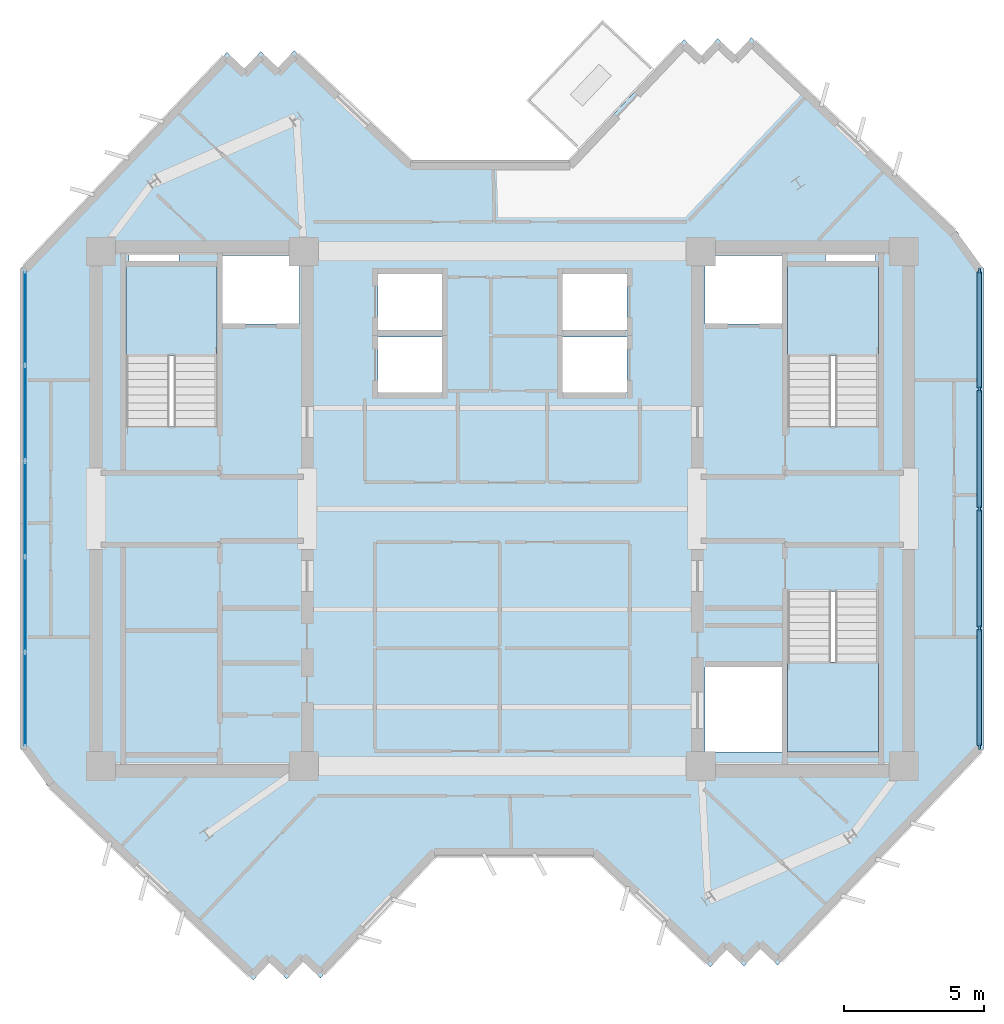
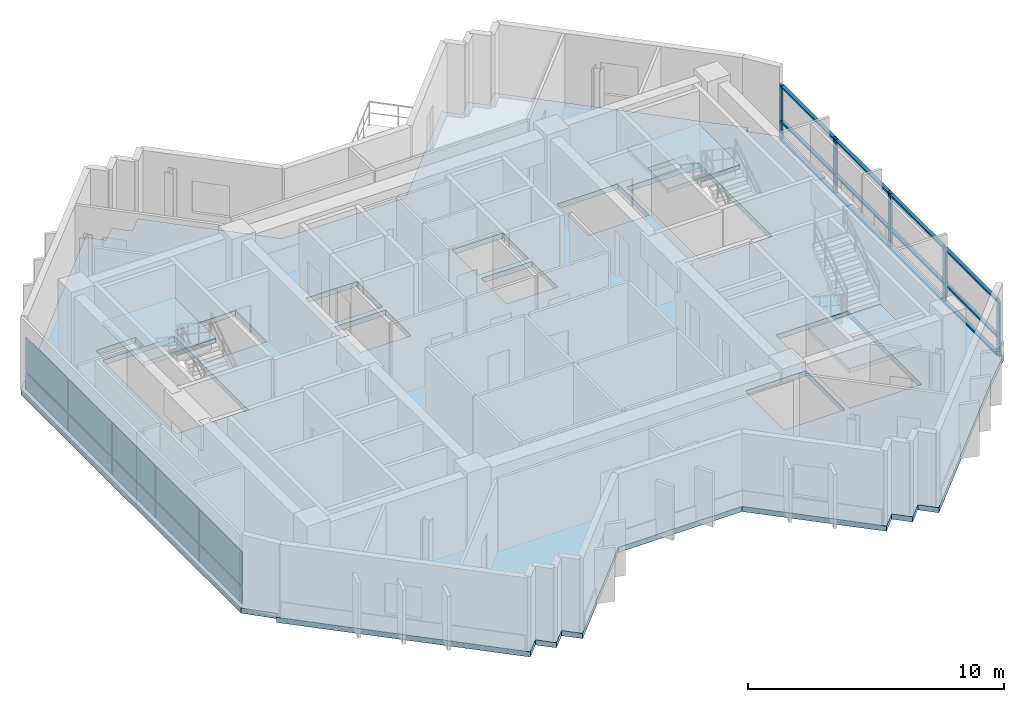
# One storey, part 2 of 9: 17 members, 10 plates, 4 slabs, 5 elements without a shape of their own.
"""IFC4 building model written with IfcOpenShell, lengths in metres."""

from ifc_helpers import new_model, si_unit, direction, frame, origin, origin_2d, place, context, subcontext, project, spatial, polyline, rectangle, outline, extrude, source, transform, mapped, material, layer, layer_set, material_profile, profile_set, type_object, element, aggregate, save


model = new_model("IFC4")

# Units and contexts
model_context = context("Model", 3, precision=1e-05, world=origin(), true_north=direction((0.0, 1.0)))
body_context = subcontext(model_context, "Body", "Model", "MODEL_VIEW")
ifc_project = project(units=[si_unit("LENGTHUNIT", "METRE"), si_unit("AREAUNIT", "SQUARE_METRE"), si_unit("VOLUMEUNIT", "CUBIC_METRE"), si_unit("PLANEANGLEUNIT", "RADIAN"), si_unit("MASSUNIT", "GRAM", prefix="KILO")], contexts=[model_context])

# Site, building, storey
site_placement = place(None, origin())
site = spatial("IfcSite", under=ifc_project, at=site_placement, CompositionType="ELEMENT")
building_placement = place(site_placement, origin())
building = spatial("IfcBuilding", under=site, at=building_placement, Name="Zahravan Cultural Tower", CompositionType="ELEMENT")
storey_placement = place(building_placement, frame((0.0, 0.0, 302.85009765625)))
storey = spatial("IfcBuildingStorey", under=building, at=storey_placement, Name="L73", CompositionType="ELEMENT", Elevation=302.85009765625)

# Curtain wall, members
ifc_material_1 = material(Name="Anodised bronze-aluminium mullion", Category="aluminium")
ifc_layer_1 = layer(ifc_material_1, 0.219970703125)
ifc_layer_set_1 = layer_set([ifc_layer_1], Name="Anodised bronze-aluminium mullion")
curtain_wall_type_1 = type_object("IfcCurtainWallType", Name="CW-SYS-1", PredefinedType="USERDEFINED", material=ifc_layer_set_1)
curtain_wall_1_placement = place(storey_placement, origin())
curtain_wall_1 = element("IfcCurtainWall", 1, at=curtain_wall_1_placement, inside=storey, type_object=curtain_wall_type_1, Name="L73 Recessed Curtain Wall CW-1.1", ObjectType="RECESSED GLAZING", PredefinedType="USERDEFINED")
ifc_material_profile_1 = material_profile(ifc_material_1, rectangle(XDim=0.080078125, YDim=0.219970703125, at=origin_2d()), Name="AL-M80X220")
ifc_profile_set_1 = profile_set([ifc_material_profile_1], Name="Anodised bronze-aluminium mullion")
member_type_1 = type_object("IfcMemberType", Name="CWM-CW-1", PredefinedType="MULLION", material=ifc_profile_set_1)
shared_shape_1 = source(origin(), body_context, "Body", "SweptSolid", [
    extrude(rectangle(XDim=0.080078125, YDim=0.219970703125, at=origin_2d()), origin(), (0.0, 0.0, 1.0), 2.619873046875),
])
member_1_placement = place(storey_placement, frame((53.06005859375, 35.501953125, 0.0), z_axis=(0.0, 0.0, 1.0), x_axis=(1.0, 0.0, 0.0)))
member_1 = element("IfcMember", 2, at=member_1_placement, type_object=member_type_1, Name="CW-1 mullion 1", PredefinedType="MULLION", context=body_context, shape_type="MappedRepresentation", body=[
    mapped(shared_shape_1, transform((0.0, 0.0, 0.0), x_axis=(1.0, 0.0, 0.0), y_axis=(0.0, 1.0, 0.0), z_axis=(0.0, 0.0, 1.0), scale=1.0)),
])
member_2_placement = place(storey_placement, frame((53.06005859375, 31.27099609375, 0.0), z_axis=(0.0, 0.0, 1.0), x_axis=(1.0, 0.0, 0.0)))
member_2 = element("IfcMember", 3, at=member_2_placement, type_object=member_type_1, Name="CW-1 mullion 2", PredefinedType="MULLION", context=body_context, shape_type="MappedRepresentation", body=[
    mapped(shared_shape_1, transform((0.0, 0.0, 0.0), x_axis=(1.0, 0.0, 0.0), y_axis=(0.0, 1.0, 0.0), z_axis=(0.0, 0.0, 1.0), scale=1.0)),
])
member_3_placement = place(storey_placement, frame((53.06005859375, 27.0, 0.0), z_axis=(0.0, 0.0, 1.0), x_axis=(1.0, 0.0, 0.0)))
member_3 = element("IfcMember", 4, at=member_3_placement, type_object=member_type_1, Name="CW-1 mullion 3", PredefinedType="MULLION", context=body_context, shape_type="MappedRepresentation", body=[
    mapped(shared_shape_1, transform((0.0, 0.0, 0.0), x_axis=(1.0, 0.0, 0.0), y_axis=(0.0, 1.0, 0.0), z_axis=(0.0, 0.0, 1.0), scale=1.0)),
])
member_4_placement = place(storey_placement, frame((53.06005859375, 22.72900390625, 0.0), z_axis=(0.0, 0.0, 1.0), x_axis=(1.0, 0.0, 0.0)))
member_4 = element("IfcMember", 5, at=member_4_placement, type_object=member_type_1, Name="CW-1 mullion 4", PredefinedType="MULLION", context=body_context, shape_type="MappedRepresentation", body=[
    mapped(shared_shape_1, transform((0.0, 0.0, 0.0), x_axis=(1.0, 0.0, 0.0), y_axis=(0.0, 1.0, 0.0), z_axis=(0.0, 0.0, 1.0), scale=1.0)),
])
member_5_placement = place(storey_placement, frame((53.06005859375, 18.498046875, 0.0), z_axis=(0.0, 0.0, 1.0), x_axis=(1.0, 0.0, 0.0)))
member_5 = element("IfcMember", 6, at=member_5_placement, type_object=member_type_1, Name="CW-1 mullion 5", PredefinedType="MULLION", context=body_context, shape_type="MappedRepresentation", body=[
    mapped(shared_shape_1, transform((0.0, 0.0, 0.0), x_axis=(1.0, 0.0, 0.0), y_axis=(0.0, 1.0, 0.0), z_axis=(0.0, 0.0, 1.0), scale=1.0)),
])
ifc_material_profile_2 = material_profile(ifc_material_1, rectangle(XDim=0.159912109375, YDim=0.080078125, at=origin_2d()), Name="AL-T80X160")
ifc_profile_set_2 = profile_set([ifc_material_profile_2], Name="Anodised bronze-aluminium mullion")
member_type_2 = type_object("IfcMemberType", Name="CWT-CW-1", PredefinedType="USERDEFINED", material=ifc_profile_set_2)
shared_shape_2 = source(origin(), body_context, "Body", "SweptSolid", [
    extrude(rectangle(XDim=0.159912109375, YDim=0.080078125, at=origin_2d()), origin(), (0.0, 0.0, 1.0), 4.15087890625),
])
member_6_placement = place(storey_placement, frame((53.06005859375, 35.4619140625, 0.039794921875), z_axis=(0.0, -1.0, 0.0), x_axis=(1.0, 0.0, 0.0)))
member_6 = element("IfcMember", 7, at=member_6_placement, type_object=member_type_2, Name="CW-1 transom 1.1", ObjectType="TRANSOM", PredefinedType="USERDEFINED", context=body_context, shape_type="MappedRepresentation", body=[
    mapped(shared_shape_2, transform((0.0, 0.0, 0.0), x_axis=(1.0, 0.0, 0.0), y_axis=(0.0, 1.0, 0.0), z_axis=(0.0, 0.0, 1.0), scale=1.0)),
])
member_7_placement = place(storey_placement, frame((53.06005859375, 35.4619140625, 0.89990234375), z_axis=(0.0, -1.0, 0.0), x_axis=(1.0, 0.0, 0.0)))
member_7 = element("IfcMember", 8, at=member_7_placement, type_object=member_type_2, Name="CW-1 transom 1.2", ObjectType="TRANSOM", PredefinedType="USERDEFINED", context=body_context, shape_type="MappedRepresentation", body=[
    mapped(shared_shape_2, transform((0.0, 0.0, 0.0), x_axis=(1.0, 0.0, 0.0), y_axis=(0.0, 1.0, 0.0), z_axis=(0.0, 0.0, 1.0), scale=1.0)),
])
member_8_placement = place(storey_placement, frame((53.06005859375, 35.4619140625, 2.579833984375), z_axis=(0.0, -1.0, 0.0), x_axis=(1.0, 0.0, 0.0)))
member_8 = element("IfcMember", 9, at=member_8_placement, type_object=member_type_2, Name="CW-1 transom 1.3", ObjectType="TRANSOM", PredefinedType="USERDEFINED", context=body_context, shape_type="MappedRepresentation", body=[
    mapped(shared_shape_2, transform((0.0, 0.0, 0.0), x_axis=(1.0, 0.0, 0.0), y_axis=(0.0, 1.0, 0.0), z_axis=(0.0, 0.0, 1.0), scale=1.0)),
])
member_9_placement = place(storey_placement, frame((53.06005859375, 22.68896484375, 0.039794921875), z_axis=(0.0, -1.0, 0.0), x_axis=(1.0, 0.0, 0.0)))
member_9 = element("IfcMember", 10, at=member_9_placement, type_object=member_type_2, Name="CW-1 transom 4.1", ObjectType="TRANSOM", PredefinedType="USERDEFINED", context=body_context, shape_type="MappedRepresentation", body=[
    mapped(shared_shape_2, transform((0.0, 0.0, 0.0), x_axis=(1.0, 0.0, 0.0), y_axis=(0.0, 1.0, 0.0), z_axis=(0.0, 0.0, 1.0), scale=1.0)),
])
member_10_placement = place(storey_placement, frame((53.06005859375, 22.68896484375, 0.89990234375), z_axis=(0.0, -1.0, 0.0), x_axis=(1.0, 0.0, 0.0)))
member_10 = element("IfcMember", 11, at=member_10_placement, type_object=member_type_2, Name="CW-1 transom 4.2", ObjectType="TRANSOM", PredefinedType="USERDEFINED", context=body_context, shape_type="MappedRepresentation", body=[
    mapped(shared_shape_2, transform((0.0, 0.0, 0.0), x_axis=(1.0, 0.0, 0.0), y_axis=(0.0, 1.0, 0.0), z_axis=(0.0, 0.0, 1.0), scale=1.0)),
])
member_11_placement = place(storey_placement, frame((53.06005859375, 22.68896484375, 2.579833984375), z_axis=(0.0, -1.0, 0.0), x_axis=(1.0, 0.0, 0.0)))
member_11 = element("IfcMember", 12, at=member_11_placement, type_object=member_type_2, Name="CW-1 transom 4.3", ObjectType="TRANSOM", PredefinedType="USERDEFINED", context=body_context, shape_type="MappedRepresentation", body=[
    mapped(shared_shape_2, transform((0.0, 0.0, 0.0), x_axis=(1.0, 0.0, 0.0), y_axis=(0.0, 1.0, 0.0), z_axis=(0.0, 0.0, 1.0), scale=1.0)),
])
shared_shape_3 = source(origin(), body_context, "Body", "SweptSolid", [
    extrude(rectangle(XDim=0.159912109375, YDim=0.080078125, at=origin_2d()), origin(), (0.0, 0.0, 1.0), 4.19091796875),
])
member_12_placement = place(storey_placement, frame((53.06005859375, 31.23095703125, 0.039794921875), z_axis=(0.0, -1.0, 0.0), x_axis=(1.0, 0.0, 0.0)))
member_12 = element("IfcMember", 13, at=member_12_placement, type_object=member_type_2, Name="CW-1 transom 2.1", ObjectType="TRANSOM", PredefinedType="USERDEFINED", context=body_context, shape_type="MappedRepresentation", body=[
    mapped(shared_shape_3, transform((0.0, 0.0, 0.0), x_axis=(1.0, 0.0, 0.0), y_axis=(0.0, 1.0, 0.0), z_axis=(0.0, 0.0, 1.0), scale=1.0)),
])
member_13_placement = place(storey_placement, frame((53.06005859375, 31.23095703125, 0.89990234375), z_axis=(0.0, -1.0, 0.0), x_axis=(1.0, 0.0, 0.0)))
member_13 = element("IfcMember", 14, at=member_13_placement, type_object=member_type_2, Name="CW-1 transom 2.2", ObjectType="TRANSOM", PredefinedType="USERDEFINED", context=body_context, shape_type="MappedRepresentation", body=[
    mapped(shared_shape_3, transform((0.0, 0.0, 0.0), x_axis=(1.0, 0.0, 0.0), y_axis=(0.0, 1.0, 0.0), z_axis=(0.0, 0.0, 1.0), scale=1.0)),
])
member_14_placement = place(storey_placement, frame((53.06005859375, 31.23095703125, 2.579833984375), z_axis=(0.0, -1.0, 0.0), x_axis=(1.0, 0.0, 0.0)))
member_14 = element("IfcMember", 15, at=member_14_placement, type_object=member_type_2, Name="CW-1 transom 2.3", ObjectType="TRANSOM", PredefinedType="USERDEFINED", context=body_context, shape_type="MappedRepresentation", body=[
    mapped(shared_shape_3, transform((0.0, 0.0, 0.0), x_axis=(1.0, 0.0, 0.0), y_axis=(0.0, 1.0, 0.0), z_axis=(0.0, 0.0, 1.0), scale=1.0)),
])
member_15_placement = place(storey_placement, frame((53.06005859375, 26.9599609375, 0.039794921875), z_axis=(0.0, -1.0, 0.0), x_axis=(1.0, 0.0, 0.0)))
member_15 = element("IfcMember", 16, at=member_15_placement, type_object=member_type_2, Name="CW-1 transom 3.1", ObjectType="TRANSOM", PredefinedType="USERDEFINED", context=body_context, shape_type="MappedRepresentation", body=[
    mapped(shared_shape_3, transform((0.0, 0.0, 0.0), x_axis=(1.0, 0.0, 0.0), y_axis=(0.0, 1.0, 0.0), z_axis=(0.0, 0.0, 1.0), scale=1.0)),
])
member_16_placement = place(storey_placement, frame((53.06005859375, 26.9599609375, 0.89990234375), z_axis=(0.0, -1.0, 0.0), x_axis=(1.0, 0.0, 0.0)))
member_16 = element("IfcMember", 17, at=member_16_placement, type_object=member_type_2, Name="CW-1 transom 3.2", ObjectType="TRANSOM", PredefinedType="USERDEFINED", context=body_context, shape_type="MappedRepresentation", body=[
    mapped(shared_shape_3, transform((0.0, 0.0, 0.0), x_axis=(1.0, 0.0, 0.0), y_axis=(0.0, 1.0, 0.0), z_axis=(0.0, 0.0, 1.0), scale=1.0)),
])
member_17_placement = place(storey_placement, frame((53.06005859375, 26.9599609375, 2.579833984375), z_axis=(0.0, -1.0, 0.0), x_axis=(1.0, 0.0, 0.0)))
member_17 = element("IfcMember", 18, at=member_17_placement, type_object=member_type_2, Name="CW-1 transom 3.3", ObjectType="TRANSOM", PredefinedType="USERDEFINED", context=body_context, shape_type="MappedRepresentation", body=[
    mapped(shared_shape_3, transform((0.0, 0.0, 0.0), x_axis=(1.0, 0.0, 0.0), y_axis=(0.0, 1.0, 0.0), z_axis=(0.0, 0.0, 1.0), scale=1.0)),
])
aggregate(curtain_wall_1, [member_1, member_2, member_3, member_4, member_5, member_6, member_7, member_8, member_12, member_13, member_14, member_15, member_16, member_17, member_9, member_10, member_11])

# Stair, slab
ifc_material_2 = material(Name="Concrete C45/55", Category="concrete")
stair_type = type_object("IfcStairType", Name="STR-DL-1550-375", PredefinedType="HALF_TURN_STAIR", material=ifc_material_2)
stair_1_placement = place(storey_placement, origin())
stair_1 = element("IfcStair", 19, at=stair_1_placement, inside=storey, type_object=stair_type, Name="L73 West Core North Exit Stair ST-W1", PredefinedType="HALF_TURN_STAIR")
ifc_layer_2 = layer(ifc_material_2, 0.199951171875)
ifc_layer_set_2 = layer_set([ifc_layer_2], Name="Concrete C45/55")
slab_type_1 = type_object("IfcSlabType", Name="SL-STAIR-LND200", PredefinedType="LANDING", material=ifc_layer_set_2)
slab_1_placement = place(storey_placement, frame((0.0, 0.0, 1.6748046875)))
slab_1 = element("IfcSlab", 20, at=slab_1_placement, type_object=slab_type_1, Name="ST-W1 landing 1", PredefinedType="LANDING", context=body_context, shape_type="SweptSolid", body=[
    extrude(outline(polyline([(25.800048828125, 32.469970703125), (25.800048828125, 35.699951171875), (22.550048828125, 35.699951171875), (22.550048828125, 32.469970703125), (25.800048828125, 32.469970703125)])), origin(), (0.0, 0.0, 1.0), 0.2001953125),
])
aggregate(stair_1, [slab_1])

stair_2_placement = place(storey_placement, origin())
stair_2 = element("IfcStair", 21, at=stair_2_placement, inside=storey, type_object=stair_type, Name="L73 East Core North Exit Stair ST-E1", PredefinedType="HALF_TURN_STAIR")
slab_2_placement = place(storey_placement, frame((0.0, 0.0, 1.6748046875)))
slab_2 = element("IfcSlab", 22, at=slab_2_placement, type_object=slab_type_1, Name="ST-E1 landing 1", PredefinedType="LANDING", context=body_context, shape_type="SweptSolid", body=[
    extrude(outline(polyline([(49.449951171875, 32.469970703125), (49.449951171875, 35.699951171875), (46.199951171875, 35.699951171875), (46.199951171875, 32.469970703125), (49.449951171875, 32.469970703125)])), origin(), (0.0, 0.0, 1.0), 0.2001953125),
])
aggregate(stair_2, [slab_2])

stair_3_placement = place(storey_placement, origin())
stair_3 = element("IfcStair", 23, at=stair_3_placement, inside=storey, type_object=stair_type, Name="L73 East Core South Exit Stair ST-E2", PredefinedType="HALF_TURN_STAIR")
slab_3_placement = place(storey_placement, frame((0.0, 0.0, 1.6748046875)))
slab_3 = element("IfcSlab", 24, at=slab_3_placement, type_object=slab_type_1, Name="ST-E2 landing 1", PredefinedType="LANDING", context=body_context, shape_type="SweptSolid", body=[
    extrude(outline(polyline([(46.199951171875, 21.530029296875), (46.199951171875, 18.300048828125), (49.449951171875, 18.300048828125), (49.449951171875, 21.530029296875), (46.199951171875, 21.530029296875)])), origin(), (0.0, 0.0, 1.0), 0.2001953125),
])
aggregate(stair_3, [slab_3])

# Slab
ifc_material_3 = material(Name="Concrete C40/50", Category="concrete")
ifc_layer_3 = layer(ifc_material_3, 0.25)
ifc_layer_set_3 = layer_set([ifc_layer_3], Name="Concrete C40/50")
slab_type_2 = type_object("IfcSlabType", Name="SL-TYP-250", PredefinedType="FLOOR", material=ifc_layer_set_3)
slab_4_placement = place(storey_placement, frame((0.0, 0.0, -0.25)))
element("IfcSlab", 25, at=slab_4_placement, inside=storey, type_object=slab_type_2, Name="L73 Structural Floor Slab", PredefinedType="FLOOR", context=body_context, shape_type="SweptSolid", body=[
    extrude(outline(polyline([(38.36279296875, 39.39990234375), (32.779541015625, 39.39990234375), (28.562744140625, 43.385498046875), (27.978759765625, 42.767578125), (27.361083984375, 43.3515625), (26.777099609375, 42.733642578125), (26.159423828125, 43.317626953125), (19.99365234375, 36.793701171875), (18.800048828125, 35.60009765625), (18.800048828125, 18.39990234375), (19.8564453125, 17.343505859375), (19.682373046875, 17.159423828125), (27.095458984375, 10.1533203125), (27.679443359375, 10.77099609375), (28.297119140625, 10.187255859375), (28.881103515625, 10.804931640625), (29.498779296875, 10.22119140625), (33.63720703125, 14.60009765625), (39.220458984375, 14.60009765625), (43.437255859375, 10.614501953125), (44.021240234375, 11.232421875), (44.638916015625, 10.6484375), (45.222900390625, 11.266357421875), (45.840576171875, 10.682373046875), (52.00634765625, 17.206298828125), (53.199951171875, 18.39990234375), (53.199951171875, 35.60009765625), (52.1435546875, 36.656494140625), (52.317626953125, 36.840576171875), (44.904541015625, 43.8466796875), (44.320556640625, 43.22900390625), (43.702880859375, 43.812744140625), (43.118896484375, 43.195068359375), (42.501220703125, 43.77880859375), (38.36279296875, 39.39990234375)]), holes=[polyline([(22.550048828125, 29.949951171875), (22.550048828125, 35.699951171875), (25.800048828125, 35.699951171875), (25.800048828125, 29.949951171875), (22.550048828125, 29.949951171875)]), polyline([(46.199951171875, 29.949951171875), (46.199951171875, 35.699951171875), (49.449951171875, 35.699951171875), (49.449951171875, 29.949951171875), (46.199951171875, 29.949951171875)]), polyline([(46.199951171875, 18.300048828125), (46.199951171875, 24.050048828125), (49.449951171875, 24.050048828125), (49.449951171875, 18.300048828125), (46.199951171875, 18.300048828125)]), polyline([(26.0, 33.60009765625), (26.0, 36.050048828125), (28.75, 36.050048828125), (28.75, 33.60009765625), (26.0, 33.60009765625)]), polyline([(43.25, 33.60009765625), (43.25, 36.050048828125), (46.0, 36.050048828125), (46.0, 33.60009765625), (43.25, 33.60009765625)]), polyline([(43.25, 18.300048828125), (43.25, 21.35009765625), (46.0, 21.35009765625), (46.0, 18.300048828125), (43.25, 18.300048828125)]), polyline([(31.550048828125, 33.39990234375), (31.550048828125, 35.39990234375), (33.85009765625, 35.39990234375), (33.85009765625, 33.39990234375), (31.550048828125, 33.39990234375)]), polyline([(31.550048828125, 31.14990234375), (31.550048828125, 33.14990234375), (33.85009765625, 33.14990234375), (33.85009765625, 31.14990234375), (31.550048828125, 31.14990234375)]), polyline([(38.14990234375, 33.39990234375), (38.14990234375, 35.39990234375), (40.449951171875, 35.39990234375), (40.449951171875, 33.39990234375), (38.14990234375, 33.39990234375)]), polyline([(38.14990234375, 31.14990234375), (38.14990234375, 33.14990234375), (40.449951171875, 33.14990234375), (40.449951171875, 31.14990234375), (38.14990234375, 31.14990234375)]), polyline([(22.64990234375, 35.800048828125), (22.64990234375, 36.419921875), (24.449951171875, 36.419921875), (24.449951171875, 35.800048828125), (22.64990234375, 35.800048828125)]), polyline([(47.550048828125, 35.800048828125), (47.550048828125, 36.419921875), (49.35009765625, 36.419921875), (49.35009765625, 35.800048828125), (47.550048828125, 35.800048828125)])]), origin(), (0.0, 0.0, 1.0), 0.25),
])

# Curtain wall, plates
ifc_layer_4 = layer(ifc_material_1, 0.199951171875)
ifc_layer_set_4 = layer_set([ifc_layer_4], Name="Anodised bronze-aluminium mullion")
curtain_wall_type_2 = type_object("IfcCurtainWallType", Name="CW-SYS-2", PredefinedType="USERDEFINED", material=ifc_layer_set_4)
curtain_wall_2_placement = place(storey_placement, origin())
curtain_wall_2 = element("IfcCurtainWall", 26, at=curtain_wall_2_placement, inside=storey, type_object=curtain_wall_type_2, Name="L73 Recessed Curtain Wall CW-2.2", ObjectType="RECESSED GLAZING", PredefinedType="USERDEFINED")
ifc_material_4 = material(Name="Low-E solar-control double glazing", Category="glass")
ifc_layer_5 = layer(ifc_material_4, 0.030029296875)
ifc_layer_set_5 = layer_set([ifc_layer_5], Name="Low-E solar-control double glazing")
plate_type = type_object("IfcPlateType", Name="CWP-CW-2", PredefinedType="CURTAIN_PANEL", material=ifc_layer_set_5)
shared_shape_4 = source(origin(), body_context, "Body", "SweptSolid", [
    extrude(rectangle(XDim=3.30419921875, YDim=0.030029296875, at=origin_2d()), origin(), (0.0, 0.0, 1.0), 0.78759765625),
])
plate_1_placement = place(storey_placement, frame((18.93994140625, 20.18505859375, 0.074951171875), z_axis=(0.0, 0.0, 1.0), x_axis=(0.0, 1.0, 0.0)))
plate_1 = element("IfcPlate", 27, at=plate_1_placement, type_object=plate_type, Name="CW-2 panel 1.1", PredefinedType="CURTAIN_PANEL", context=body_context, shape_type="MappedRepresentation", body=[
    mapped(shared_shape_4, transform((0.0, 0.0, 0.0), x_axis=(1.0, 0.0, 0.0), y_axis=(0.0, 1.0, 0.0), z_axis=(0.0, 0.0, 1.0), scale=1.0)),
])
plate_2_placement = place(storey_placement, frame((18.93994140625, 33.81494140625, 0.074951171875), z_axis=(0.0, 0.0, 1.0), x_axis=(0.0, 1.0, 0.0)))
plate_2 = element("IfcPlate", 28, at=plate_2_placement, type_object=plate_type, Name="CW-2 panel 5.1", PredefinedType="CURTAIN_PANEL", context=body_context, shape_type="MappedRepresentation", body=[
    mapped(shared_shape_4, transform((0.0, 0.0, 0.0), x_axis=(1.0, 0.0, 0.0), y_axis=(0.0, 1.0, 0.0), z_axis=(0.0, 0.0, 1.0), scale=1.0)),
])
shared_shape_5 = source(origin(), body_context, "Body", "SweptSolid", [
    extrude(rectangle(XDim=3.30419921875, YDim=0.030029296875, at=origin_2d()), origin(), (0.0, 0.0, 1.0), 1.607421875),
])
plate_3_placement = place(storey_placement, frame((18.93994140625, 20.18505859375, 0.9375), z_axis=(0.0, 0.0, 1.0), x_axis=(0.0, 1.0, 0.0)))
plate_3 = element("IfcPlate", 29, at=plate_3_placement, type_object=plate_type, Name="CW-2 panel 1.2", PredefinedType="CURTAIN_PANEL", context=body_context, shape_type="MappedRepresentation", body=[
    mapped(shared_shape_5, transform((0.0, 0.0, 0.0), x_axis=(1.0, 0.0, 0.0), y_axis=(0.0, 1.0, 0.0), z_axis=(0.0, 0.0, 1.0), scale=1.0)),
])
plate_4_placement = place(storey_placement, frame((18.93994140625, 33.81494140625, 0.9375), z_axis=(0.0, 0.0, 1.0), x_axis=(0.0, 1.0, 0.0)))
plate_4 = element("IfcPlate", 30, at=plate_4_placement, type_object=plate_type, Name="CW-2 panel 5.2", PredefinedType="CURTAIN_PANEL", context=body_context, shape_type="MappedRepresentation", body=[
    mapped(shared_shape_5, transform((0.0, 0.0, 0.0), x_axis=(1.0, 0.0, 0.0), y_axis=(0.0, 1.0, 0.0), z_axis=(0.0, 0.0, 1.0), scale=1.0)),
])
shared_shape_6 = source(origin(), body_context, "Body", "SweptSolid", [
    extrude(rectangle(XDim=3.341796875, YDim=0.030029296875, at=origin_2d()), origin(), (0.0, 0.0, 1.0), 0.78759765625),
])
plate_5_placement = place(storey_placement, frame((18.93994140625, 23.583251953125, 0.074951171875), z_axis=(0.0, 0.0, 1.0), x_axis=(0.0, 1.0, 0.0)))
plate_5 = element("IfcPlate", 31, at=plate_5_placement, type_object=plate_type, Name="CW-2 panel 2.1", PredefinedType="CURTAIN_PANEL", context=body_context, shape_type="MappedRepresentation", body=[
    mapped(shared_shape_6, transform((0.0, 0.0, 0.0), x_axis=(1.0, 0.0, 0.0), y_axis=(0.0, 1.0, 0.0), z_axis=(0.0, 0.0, 1.0), scale=1.0)),
])
plate_6_placement = place(storey_placement, frame((18.93994140625, 27.0, 0.074951171875), z_axis=(0.0, 0.0, 1.0), x_axis=(0.0, 1.0, 0.0)))
plate_6 = element("IfcPlate", 32, at=plate_6_placement, type_object=plate_type, Name="CW-2 panel 3.1", PredefinedType="CURTAIN_PANEL", context=body_context, shape_type="MappedRepresentation", body=[
    mapped(shared_shape_6, transform((0.0, 0.0, 0.0), x_axis=(1.0, 0.0, 0.0), y_axis=(0.0, 1.0, 0.0), z_axis=(0.0, 0.0, 1.0), scale=1.0)),
])
plate_7_placement = place(storey_placement, frame((18.93994140625, 30.416748046875, 0.074951171875), z_axis=(0.0, 0.0, 1.0), x_axis=(0.0, 1.0, 0.0)))
plate_7 = element("IfcPlate", 33, at=plate_7_placement, type_object=plate_type, Name="CW-2 panel 4.1", PredefinedType="CURTAIN_PANEL", context=body_context, shape_type="MappedRepresentation", body=[
    mapped(shared_shape_6, transform((0.0, 0.0, 0.0), x_axis=(1.0, 0.0, 0.0), y_axis=(0.0, 1.0, 0.0), z_axis=(0.0, 0.0, 1.0), scale=1.0)),
])
shared_shape_7 = source(origin(), body_context, "Body", "SweptSolid", [
    extrude(rectangle(XDim=3.341796875, YDim=0.030029296875, at=origin_2d()), origin(), (0.0, 0.0, 1.0), 1.607421875),
])
plate_8_placement = place(storey_placement, frame((18.93994140625, 23.583251953125, 0.9375), z_axis=(0.0, 0.0, 1.0), x_axis=(0.0, 1.0, 0.0)))
plate_8 = element("IfcPlate", 34, at=plate_8_placement, type_object=plate_type, Name="CW-2 panel 2.2", PredefinedType="CURTAIN_PANEL", context=body_context, shape_type="MappedRepresentation", body=[
    mapped(shared_shape_7, transform((0.0, 0.0, 0.0), x_axis=(1.0, 0.0, 0.0), y_axis=(0.0, 1.0, 0.0), z_axis=(0.0, 0.0, 1.0), scale=1.0)),
])
plate_9_placement = place(storey_placement, frame((18.93994140625, 27.0, 0.9375), z_axis=(0.0, 0.0, 1.0), x_axis=(0.0, 1.0, 0.0)))
plate_9 = element("IfcPlate", 35, at=plate_9_placement, type_object=plate_type, Name="CW-2 panel 3.2", PredefinedType="CURTAIN_PANEL", context=body_context, shape_type="MappedRepresentation", body=[
    mapped(shared_shape_7, transform((0.0, 0.0, 0.0), x_axis=(1.0, 0.0, 0.0), y_axis=(0.0, 1.0, 0.0), z_axis=(0.0, 0.0, 1.0), scale=1.0)),
])
plate_10_placement = place(storey_placement, frame((18.93994140625, 30.416748046875, 0.9375), z_axis=(0.0, 0.0, 1.0), x_axis=(0.0, 1.0, 0.0)))
plate_10 = element("IfcPlate", 36, at=plate_10_placement, type_object=plate_type, Name="CW-2 panel 4.2", PredefinedType="CURTAIN_PANEL", context=body_context, shape_type="MappedRepresentation", body=[
    mapped(shared_shape_7, transform((0.0, 0.0, 0.0), x_axis=(1.0, 0.0, 0.0), y_axis=(0.0, 1.0, 0.0), z_axis=(0.0, 0.0, 1.0), scale=1.0)),
])
aggregate(curtain_wall_2, [plate_1, plate_3, plate_5, plate_8, plate_6, plate_9, plate_7, plate_10, plate_2, plate_4])

save(model, "model.ifc")
